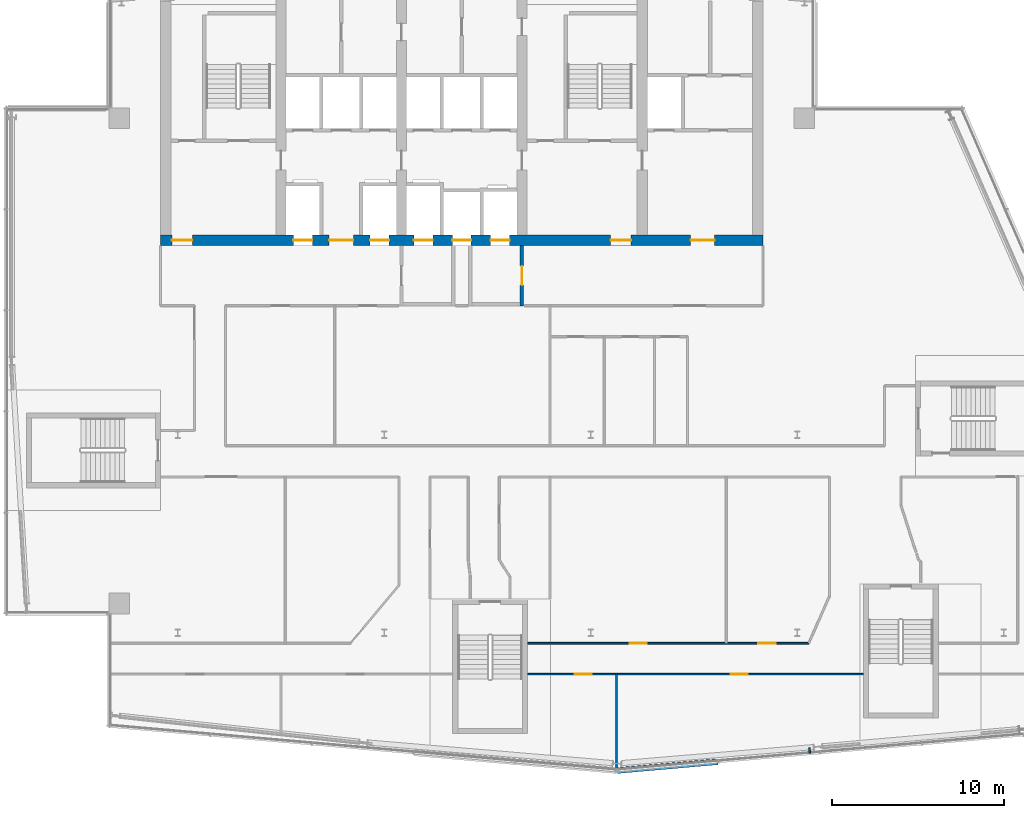
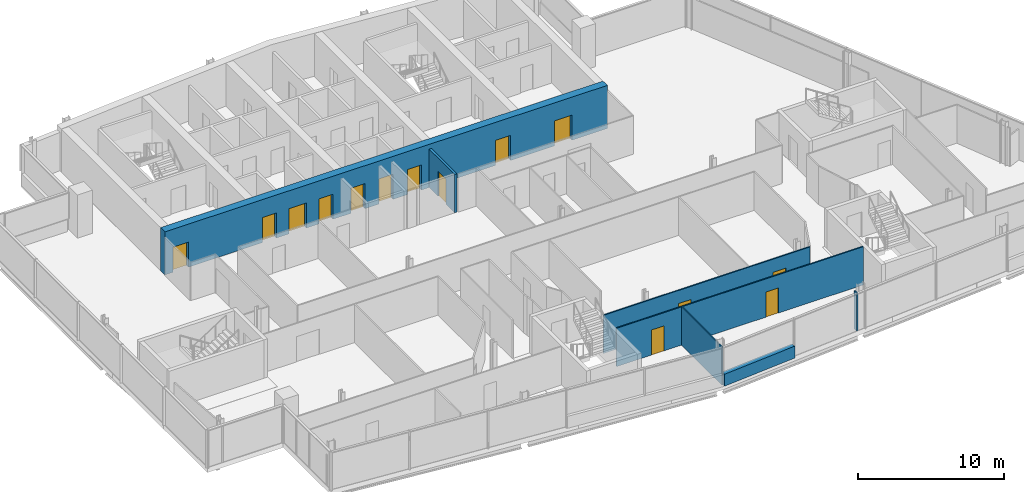
# One storey, part 15 of 22: 14 doors, 7 walls, 14 openings.
"""IFC4 building model written with IfcOpenShell, lengths in metres."""

from ifc_helpers import new_model, si_unit, direction, frame, frame_2d, origin, place, context, subcontext, project, spatial, rectangle, extrude, material, layer, layer_set, type_object, element, fill, save


model = new_model("IFC4")

# Units and contexts
model_context = context("Model", 3, precision=1e-05, world=origin(), true_north=direction((0.0, 1.0)))
body_context = subcontext(model_context, "Body", "Model", "MODEL_VIEW")
ifc_project = project(units=[si_unit("LENGTHUNIT", "METRE"), si_unit("AREAUNIT", "SQUARE_METRE"), si_unit("VOLUMEUNIT", "CUBIC_METRE"), si_unit("PLANEANGLEUNIT", "RADIAN"), si_unit("MASSUNIT", "GRAM", prefix="KILO")], contexts=[model_context])

# Site, building, storey
site_placement = place(None, origin())
site = spatial("IfcSite", under=ifc_project, at=site_placement, CompositionType="ELEMENT")
building_placement = place(site_placement, origin())
building = spatial("IfcBuilding", under=site, at=building_placement, Name="Wharfspan Tower", CompositionType="ELEMENT")
storey_placement = place(building_placement, frame((0.0, 0.0, 246.699951)))
storey = spatial("IfcBuildingStorey", under=building, at=storey_placement, Name="L62", CompositionType="ELEMENT", Elevation=246.699951)

# Wall, openings, doors
ifc_material_1 = material(Name="Gypsum board on steel studs", Category="steel")
ifc_layer_1 = layer(ifc_material_1, 0.100098)
ifc_layer_set_1 = layer_set([ifc_layer_1], Name="Gypsum board on steel studs")
wall_type_1 = type_object("IfcWallType", Name="Compartment wall 100 EI 60", PredefinedType="PARTITIONING", material=ifc_layer_set_1)
wall_1_placement = place(storey_placement, frame((44.327148, 9.094971, 0.0), z_axis=(0.0, 0.0, 1.0), x_axis=(1.0, 0.0, 0.0)))
wall_1 = element("IfcWall", 1, at=wall_1_placement, inside=storey, type_object=wall_type_1, Name="Partition L62.w030", PredefinedType="PARTITIONING", context=body_context, shape_type="SweptSolid", body=[
    extrude(rectangle(XDim=19.516602, YDim=0.100098, at=frame_2d((9.758301, 0.0))), origin(), (0.0, 0.0, 1.0), 3.199951),
])
opening_1_placement = place(wall_1_placement, frame((2.74292, 0.0, 0.0)))
opening_1 = element("IfcOpeningElement", 2, at=opening_1_placement, cuts=wall_1, Name="Opening D5-03", PredefinedType="OPENING", context=body_context, shape_type="SweptSolid", body=[
    extrude(rectangle(XDim=1.0, YDim=2.100098, at=frame_2d((0.5, 1.050049))), frame((0.0, 0.060059, 0.0), z_axis=(0.0, -1.0, 0.0), x_axis=(1.0, 0.0, 0.0)), (0.0, 0.0, 1.0), 0.120117),
])
opening_2_placement = place(wall_1_placement, frame((11.792969, 0.0, 0.0)))
opening_2 = element("IfcOpeningElement", 3, at=opening_2_placement, cuts=wall_1, Name="Opening D5-04", PredefinedType="OPENING", context=body_context, shape_type="SweptSolid", body=[
    extrude(rectangle(XDim=1.0, YDim=2.100098, at=frame_2d((0.5, 1.050049))), frame((0.0, 0.060059, 0.0), z_axis=(0.0, -1.0, 0.0), x_axis=(1.0, 0.0, 0.0)), (0.0, 0.0, 1.0), 0.120117),
])
ifc_material_2 = material(Name="Fire-rated timber door leaf in steel frame", Category="steel")
door_type_1 = type_object("IfcDoorType", Name="Door 1000 FD30S Left", OperationType="SINGLE_SWING_LEFT", PredefinedType="DOOR", material=ifc_material_2)
door_1_placement = place(opening_1_placement, origin())
door_1 = element("IfcDoor", 4, at=door_1_placement, inside=storey, type_object=door_type_1, Name="Door D5-03", OperationType="SINGLE_SWING_LEFT", OverallHeight=2.100098, OverallWidth=1.0, PredefinedType="DOOR", context=body_context, shape_type="SweptSolid", body=[
    extrude(rectangle(XDim=1.0, YDim=2.100098, at=frame_2d((0.5, 1.050049))), frame((0.0, 0.024902, 0.0), z_axis=(0.0, -1.0, 0.0), x_axis=(1.0, 0.0, 0.0)), (0.0, 0.0, 1.0), 0.050049),
])
fill(opening_1, door_1)
door_type_2 = type_object("IfcDoorType", Name="Door 1000 FD30S Right", OperationType="SINGLE_SWING_RIGHT", PredefinedType="DOOR", material=ifc_material_2)
door_2_placement = place(opening_2_placement, origin())
door_2 = element("IfcDoor", 5, at=door_2_placement, inside=storey, type_object=door_type_2, Name="Door D5-04", OperationType="SINGLE_SWING_RIGHT", OverallHeight=2.100098, OverallWidth=1.0, PredefinedType="DOOR", context=body_context, shape_type="SweptSolid", body=[
    extrude(rectangle(XDim=1.0, YDim=2.100098, at=frame_2d((0.5, 1.050049))), frame((0.0, 0.024902, 0.0), z_axis=(0.0, -1.0, 0.0), x_axis=(1.0, 0.0, 0.0)), (0.0, 0.0, 1.0), 0.050049),
])
fill(opening_2, door_2)

wall_2_placement = place(storey_placement, frame((44.327148, 10.89502, 0.0), z_axis=(0.0, 0.0, 1.0), x_axis=(1.0, 0.0, 0.0)))
wall_2 = element("IfcWall", 6, at=wall_2_placement, inside=storey, type_object=wall_type_1, Name="Partition L62.w031", PredefinedType="PARTITIONING", context=body_context, shape_type="SweptSolid", body=[
    extrude(rectangle(XDim=16.332764, YDim=0.100098, at=frame_2d((8.166504, 0.0))), origin(), (0.0, 0.0, 1.0), 3.199951),
])
opening_3_placement = place(wall_2_placement, frame((5.927979, 0.0, 0.0)))
opening_3 = element("IfcOpeningElement", 7, at=opening_3_placement, cuts=wall_2, Name="Opening D5-07", PredefinedType="OPENING", context=body_context, shape_type="SweptSolid", body=[
    extrude(rectangle(XDim=1.0, YDim=2.100098, at=frame_2d((0.5, 1.050049))), frame((0.0, 0.060059, 0.0), z_axis=(0.0, -1.0, 0.0), x_axis=(1.0, 0.0, 0.0)), (0.0, 0.0, 1.0), 0.120117),
])
opening_4_placement = place(wall_2_placement, frame((13.416748, 0.0, 0.0)))
opening_4 = element("IfcOpeningElement", 8, at=opening_4_placement, cuts=wall_2, Name="Opening D5-08", PredefinedType="OPENING", context=body_context, shape_type="SweptSolid", body=[
    extrude(rectangle(XDim=1.0, YDim=2.100098, at=frame_2d((0.5, 1.050049))), frame((0.0, 0.060059, 0.0), z_axis=(0.0, -1.0, 0.0), x_axis=(1.0, 0.0, 0.0)), (0.0, 0.0, 1.0), 0.120117),
])
door_3_placement = place(opening_3_placement, origin())
door_3 = element("IfcDoor", 9, at=door_3_placement, inside=storey, type_object=door_type_1, Name="Door D5-07", OperationType="SINGLE_SWING_LEFT", OverallHeight=2.100098, OverallWidth=1.0, PredefinedType="DOOR", context=body_context, shape_type="SweptSolid", body=[
    extrude(rectangle(XDim=1.0, YDim=2.100098, at=frame_2d((0.5, 1.050049))), frame((0.0, 0.024902, 0.0), z_axis=(0.0, -1.0, 0.0), x_axis=(1.0, 0.0, 0.0)), (0.0, 0.0, 1.0), 0.050049),
])
fill(opening_3, door_3)
door_4_placement = place(opening_4_placement, origin())
door_4 = element("IfcDoor", 10, at=door_4_placement, inside=storey, type_object=door_type_2, Name="Door D5-08", OperationType="SINGLE_SWING_RIGHT", OverallHeight=2.100098, OverallWidth=1.0, PredefinedType="DOOR", context=body_context, shape_type="SweptSolid", body=[
    extrude(rectangle(XDim=1.0, YDim=2.100098, at=frame_2d((0.5, 1.050049))), frame((0.0, 0.024902, 0.0), z_axis=(0.0, -1.0, 0.0), x_axis=(1.0, 0.0, 0.0)), (0.0, 0.0, 1.0), 0.050049),
])
fill(opening_4, door_4)

# Wall
wall_3_placement = place(storey_placement, frame((49.5, 3.51416, 0.0), z_axis=(0.0, 0.0, 1.0), x_axis=(0.0, 1.0, 0.0)))
element("IfcWall", 11, at=wall_3_placement, inside=storey, type_object=wall_type_1, Name="Partition L62.w036", PredefinedType="PARTITIONING", context=body_context, shape_type="SweptSolid", body=[
    extrude(rectangle(XDim=5.580811, YDim=0.100098, at=frame_2d((2.790527, 0.0))), origin(), (0.0, 0.0, 1.0), 3.199951),
])

# Wall, openings, doors
ifc_material_3 = material(Name="Concrete C50/60", Category="concrete")
ifc_layer_2 = layer(ifc_material_3, 0.600098)
ifc_layer_set_2 = layer_set([ifc_layer_2], Name="Concrete C50/60")
wall_type_2 = type_object("IfcWallType", Name="Core wall 600 C50/60", PredefinedType="SHEAR", material=ifc_layer_set_2)
wall_4_placement = place(storey_placement, frame((23.0, 34.300049, 0.0), z_axis=(0.0, 0.0, 1.0), x_axis=(1.0, 0.0, 0.0)))
wall_4 = element("IfcWall", 12, at=wall_4_placement, inside=storey, type_object=wall_type_2, Name="Core front wall L62", PredefinedType="SHEAR", context=body_context, shape_type="SweptSolid", body=[
    extrude(rectangle(XDim=35.0, YDim=0.600098, at=frame_2d((17.5, 0.0))), origin(), (0.0, 0.0, 1.0), 3.600098),
])
opening_5_placement = place(wall_4_placement, frame((0.649902, 0.0, 0.0)))
opening_5 = element("IfcOpeningElement", 13, at=opening_5_placement, cuts=wall_4, Name="Opening SV2.L62", PredefinedType="OPENING", context=body_context, shape_type="SweptSolid", body=[
    extrude(rectangle(XDim=1.199951, YDim=2.100098, at=frame_2d((0.600098, 1.050049))), frame((0.0, 0.310059, 0.0), z_axis=(0.0, -1.0, 0.0), x_axis=(1.0, 0.0, 0.0)), (0.0, 0.0, 1.0), 0.620117),
])
opening_6_placement = place(wall_4_placement, frame((7.716797, 0.0, 0.0)))
opening_6 = element("IfcOpeningElement", 14, at=opening_6_placement, cuts=wall_4, Name="Opening LD.SL1.L62", PredefinedType="OPENING", context=body_context, shape_type="SweptSolid", body=[
    extrude(rectangle(XDim=1.100098, YDim=2.100098, at=frame_2d((0.550049, 1.050049))), frame((0.0, 0.310059, 0.0), z_axis=(0.0, -1.0, 0.0), x_axis=(1.0, 0.0, 0.0)), (0.0, 0.0, 1.0), 0.620117),
])
opening_7_placement = place(wall_4_placement, frame((12.18335, 0.0, 0.0)))
opening_7 = element("IfcOpeningElement", 15, at=opening_7_placement, cuts=wall_4, Name="Opening LD.SL2.L62", PredefinedType="OPENING", context=body_context, shape_type="SweptSolid", body=[
    extrude(rectangle(XDim=1.100098, YDim=2.100098, at=frame_2d((0.550049, 1.050049))), frame((0.0, 0.310059, 0.0), z_axis=(0.0, -1.0, 0.0), x_axis=(1.0, 0.0, 0.0)), (0.0, 0.0, 1.0), 0.620117),
])
opening_8_placement = place(wall_4_placement, frame((9.800049, 0.0, 0.0)))
opening_8 = element("IfcOpeningElement", 16, at=opening_8_placement, cuts=wall_4, Name="Opening HD62.3", PredefinedType="OPENING", context=body_context, shape_type="SweptSolid", body=[
    extrude(rectangle(XDim=1.399902, YDim=2.100098, at=frame_2d((0.699951, 1.050049))), frame((0.0, 0.310059, 0.0), z_axis=(0.0, -1.0, 0.0), x_axis=(1.0, 0.0, 0.0)), (0.0, 0.0, 1.0), 0.620117),
])
opening_9_placement = place(wall_4_placement, frame((14.716797, 0.0, 0.0)))
opening_9 = element("IfcOpeningElement", 17, at=opening_9_placement, cuts=wall_4, Name="Opening LD.FF1.L62", PredefinedType="OPENING", context=body_context, shape_type="SweptSolid", body=[
    extrude(rectangle(XDim=1.100098, YDim=2.100098, at=frame_2d((0.550049, 1.050049))), frame((0.0, 0.310059, 0.0), z_axis=(0.0, -1.0, 0.0), x_axis=(1.0, 0.0, 0.0)), (0.0, 0.0, 1.0), 0.620117),
])
opening_10_placement = place(wall_4_placement, frame((16.949951, 0.0, 0.0)))
opening_10 = element("IfcOpeningElement", 18, at=opening_10_placement, cuts=wall_4, Name="Opening LD.LB7.L62", PredefinedType="OPENING", context=body_context, shape_type="SweptSolid", body=[
    extrude(rectangle(XDim=1.100098, YDim=2.100098, at=frame_2d((0.550049, 1.050049))), frame((0.0, 0.310059, 0.0), z_axis=(0.0, -1.0, 0.0), x_axis=(1.0, 0.0, 0.0)), (0.0, 0.0, 1.0), 0.620117),
])
opening_11_placement = place(wall_4_placement, frame((19.18335, 0.0, 0.0)))
opening_11 = element("IfcOpeningElement", 19, at=opening_11_placement, cuts=wall_4, Name="Opening LD.FF2.L62", PredefinedType="OPENING", context=body_context, shape_type="SweptSolid", body=[
    extrude(rectangle(XDim=1.100098, YDim=2.100098, at=frame_2d((0.550049, 1.050049))), frame((0.0, 0.310059, 0.0), z_axis=(0.0, -1.0, 0.0), x_axis=(1.0, 0.0, 0.0)), (0.0, 0.0, 1.0), 0.620117),
])
opening_12_placement = place(wall_4_placement, frame((26.149902, 0.0, 0.0)))
opening_12 = element("IfcOpeningElement", 20, at=opening_12_placement, cuts=wall_4, Name="Opening SV5.L62", PredefinedType="OPENING", context=body_context, shape_type="SweptSolid", body=[
    extrude(rectangle(XDim=1.199951, YDim=2.100098, at=frame_2d((0.600098, 1.050049))), frame((0.0, 0.310059, 0.0), z_axis=(0.0, -1.0, 0.0), x_axis=(1.0, 0.0, 0.0)), (0.0, 0.0, 1.0), 0.620117),
])
opening_13_placement = place(wall_4_placement, frame((30.800049, 0.0, 0.0)))
opening_13 = element("IfcOpeningElement", 21, at=opening_13_placement, cuts=wall_4, Name="Opening HD62.6", PredefinedType="OPENING", context=body_context, shape_type="SweptSolid", body=[
    extrude(rectangle(XDim=1.399902, YDim=2.100098, at=frame_2d((0.699951, 1.050049))), frame((0.0, 0.310059, 0.0), z_axis=(0.0, -1.0, 0.0), x_axis=(1.0, 0.0, 0.0)), (0.0, 0.0, 1.0), 0.620117),
])
ifc_material_4 = material(Name="Steel door leaf", Category="steel")
door_type_3 = type_object("IfcDoorType", Name="Hall entry door 1400x2100", OperationType="DOUBLE_DOOR_SINGLE_SWING", PredefinedType="DOOR", material=ifc_material_4)
door_5_placement = place(opening_8_placement, origin())
door_5 = element("IfcDoor", 22, at=door_5_placement, inside=storey, type_object=door_type_3, Name="d:L62:3:hd3", OperationType="DOUBLE_DOOR_SINGLE_SWING", OverallHeight=2.100098, OverallWidth=1.399902, PredefinedType="DOOR", context=body_context, shape_type="SweptSolid", body=[
    extrude(rectangle(XDim=1.399902, YDim=2.100098, at=frame_2d((0.699951, 1.050049))), frame((0.0, 0.024902, 0.0), z_axis=(0.0, -1.0, 0.0), x_axis=(1.0, 0.0, 0.0)), (0.0, 0.0, 1.0), 0.050049),
])
fill(opening_8, door_5)
door_6_placement = place(opening_13_placement, origin())
door_6 = element("IfcDoor", 23, at=door_6_placement, inside=storey, type_object=door_type_3, Name="d:L62:6:hd6", OperationType="DOUBLE_DOOR_SINGLE_SWING", OverallHeight=2.100098, OverallWidth=1.399902, PredefinedType="DOOR", context=body_context, shape_type="SweptSolid", body=[
    extrude(rectangle(XDim=1.399902, YDim=2.100098, at=frame_2d((0.699951, 1.050049))), frame((0.0, 0.024902, 0.0), z_axis=(0.0, -1.0, 0.0), x_axis=(1.0, 0.0, 0.0)), (0.0, 0.0, 1.0), 0.050049),
])
fill(opening_13, door_6)
ifc_material_5 = material(Name="Stainless steel", Category="steel")
door_type_4 = type_object("IfcDoorType", Name="Lift landing door 1100x2100", OperationType="DOUBLE_DOOR_SLIDING", PredefinedType="DOOR", material=ifc_material_5)
door_7_placement = place(opening_6_placement, origin())
door_7 = element("IfcDoor", 24, at=door_7_placement, inside=storey, type_object=door_type_4, Name="Landing door SL1 L62", OperationType="DOUBLE_DOOR_SLIDING", OverallHeight=2.100098, OverallWidth=1.100098, PredefinedType="DOOR", context=body_context, shape_type="SweptSolid", body=[
    extrude(rectangle(XDim=1.100098, YDim=2.100098, at=frame_2d((0.550049, 1.050049))), frame((0.0, 0.024902, 0.0), z_axis=(0.0, -1.0, 0.0), x_axis=(1.0, 0.0, 0.0)), (0.0, 0.0, 1.0), 0.050049),
])
fill(opening_6, door_7)
door_8_placement = place(opening_7_placement, origin())
door_8 = element("IfcDoor", 25, at=door_8_placement, inside=storey, type_object=door_type_4, Name="Landing door SL2 L62", OperationType="DOUBLE_DOOR_SLIDING", OverallHeight=2.100098, OverallWidth=1.100098, PredefinedType="DOOR", context=body_context, shape_type="SweptSolid", body=[
    extrude(rectangle(XDim=1.100098, YDim=2.100098, at=frame_2d((0.550049, 1.050049))), frame((0.0, 0.024902, 0.0), z_axis=(0.0, -1.0, 0.0), x_axis=(1.0, 0.0, 0.0)), (0.0, 0.0, 1.0), 0.050049),
])
fill(opening_7, door_8)
door_9_placement = place(opening_9_placement, origin())
door_9 = element("IfcDoor", 26, at=door_9_placement, inside=storey, type_object=door_type_4, Name="Landing door FF1 L62", OperationType="DOUBLE_DOOR_SLIDING", OverallHeight=2.100098, OverallWidth=1.100098, PredefinedType="DOOR", context=body_context, shape_type="SweptSolid", body=[
    extrude(rectangle(XDim=1.100098, YDim=2.100098, at=frame_2d((0.550049, 1.050049))), frame((0.0, 0.024902, 0.0), z_axis=(0.0, -1.0, 0.0), x_axis=(1.0, 0.0, 0.0)), (0.0, 0.0, 1.0), 0.050049),
])
fill(opening_9, door_9)
door_10_placement = place(opening_10_placement, origin())
door_10 = element("IfcDoor", 27, at=door_10_placement, inside=storey, type_object=door_type_4, Name="Landing door LB7 L62", OperationType="DOUBLE_DOOR_SLIDING", OverallHeight=2.100098, OverallWidth=1.100098, PredefinedType="DOOR", context=body_context, shape_type="SweptSolid", body=[
    extrude(rectangle(XDim=1.100098, YDim=2.100098, at=frame_2d((0.550049, 1.050049))), frame((0.0, 0.024902, 0.0), z_axis=(0.0, -1.0, 0.0), x_axis=(1.0, 0.0, 0.0)), (0.0, 0.0, 1.0), 0.050049),
])
fill(opening_10, door_10)
door_11_placement = place(opening_11_placement, origin())
door_11 = element("IfcDoor", 28, at=door_11_placement, inside=storey, type_object=door_type_4, Name="Landing door FF2 L62", OperationType="DOUBLE_DOOR_SLIDING", OverallHeight=2.100098, OverallWidth=1.100098, PredefinedType="DOOR", context=body_context, shape_type="SweptSolid", body=[
    extrude(rectangle(XDim=1.100098, YDim=2.100098, at=frame_2d((0.550049, 1.050049))), frame((0.0, 0.024902, 0.0), z_axis=(0.0, -1.0, 0.0), x_axis=(1.0, 0.0, 0.0)), (0.0, 0.0, 1.0), 0.050049),
])
fill(opening_11, door_11)
door_type_5 = type_object("IfcDoorType", Name="Stair door 1200x2100", OperationType="SINGLE_SWING_LEFT", PredefinedType="DOOR", material=ifc_material_4)
door_12_placement = place(opening_5_placement, origin())
door_12 = element("IfcDoor", 29, at=door_12_placement, inside=storey, type_object=door_type_5, Name="vd:L62:2", OperationType="SINGLE_SWING_LEFT", OverallHeight=2.100098, OverallWidth=1.199951, PredefinedType="DOOR", context=body_context, shape_type="SweptSolid", body=[
    extrude(rectangle(XDim=1.199951, YDim=2.100098, at=frame_2d((0.600098, 1.050049))), frame((0.0, 0.024902, 0.0), z_axis=(0.0, -1.0, 0.0), x_axis=(1.0, 0.0, 0.0)), (0.0, 0.0, 1.0), 0.050049),
])
fill(opening_5, door_12)
door_13_placement = place(opening_12_placement, origin())
door_13 = element("IfcDoor", 30, at=door_13_placement, inside=storey, type_object=door_type_5, Name="vd:L62:5", OperationType="SINGLE_SWING_LEFT", OverallHeight=2.100098, OverallWidth=1.199951, PredefinedType="DOOR", context=body_context, shape_type="SweptSolid", body=[
    extrude(rectangle(XDim=1.199951, YDim=2.100098, at=frame_2d((0.600098, 1.050049))), frame((0.0, 0.024902, 0.0), z_axis=(0.0, -1.0, 0.0), x_axis=(1.0, 0.0, 0.0)), (0.0, 0.0, 1.0), 0.050049),
])
fill(opening_12, door_13)

# Wall, opening, door
ifc_material_6 = material(Name="Concrete C30/37", Category="concrete")
ifc_layer_3 = layer(ifc_material_6, 0.199951)
ifc_layer_set_3 = layer_set([ifc_layer_3], Name="Concrete C30/37")
wall_type_3 = type_object("IfcWallType", Name="Lobby wall 200", PredefinedType="PARTITIONING", material=ifc_layer_set_3)
wall_5_placement = place(storey_placement, frame((44.0, 30.5, 0.0), z_axis=(0.0, 0.0, 1.0), x_axis=(0.0, 1.0, 0.0)))
wall_5 = element("IfcWall", 31, at=wall_5_placement, inside=storey, type_object=wall_type_3, Name="sw:L62:FLFF2E", PredefinedType="PARTITIONING", context=body_context, shape_type="SweptSolid", body=[
    extrude(rectangle(XDim=3.5, YDim=0.199951, at=frame_2d((1.75, 0.0))), origin(), (0.0, 0.0, 1.0), 3.199951),
])
opening_14_placement = place(wall_5_placement, frame((1.199951, 0.0, 0.0)))
opening_14 = element("IfcOpeningElement", 32, at=opening_14_placement, cuts=wall_5, Name="Opening FL.FF2.L62", PredefinedType="OPENING", context=body_context, shape_type="SweptSolid", body=[
    extrude(rectangle(XDim=1.100098, YDim=2.100098, at=frame_2d((0.550049, 1.050049))), frame((0.0, 0.109863, 0.0), z_axis=(0.0, -1.0, 0.0), x_axis=(1.0, 0.0, 0.0)), (0.0, 0.0, 1.0), 0.219971),
])
door_type_6 = type_object("IfcDoorType", Name="Firefighting lobby door 1100x2100", OperationType="SINGLE_SWING_LEFT", PredefinedType="DOOR", material=ifc_material_4)
door_14_placement = place(opening_14_placement, origin())
door_14 = element("IfcDoor", 33, at=door_14_placement, inside=storey, type_object=door_type_6, Name="fd:L62:FF2", OperationType="SINGLE_SWING_LEFT", OverallHeight=2.100098, OverallWidth=1.100098, PredefinedType="DOOR", context=body_context, shape_type="SweptSolid", body=[
    extrude(rectangle(XDim=1.100098, YDim=2.100098, at=frame_2d((0.550049, 1.050049))), frame((0.0, 0.024902, 0.0), z_axis=(0.0, -1.0, 0.0), x_axis=(1.0, 0.0, 0.0)), (0.0, 0.0, 1.0), 0.050049),
])
fill(opening_14, door_14)

# Walls
ifc_layer_4 = layer(ifc_material_1, 0.100098)
ifc_layer_set_4 = layer_set([ifc_layer_4], Name="Gypsum board on steel studs")
wall_type_4 = type_object("IfcWallType", Name="Partition 100", PredefinedType="PARTITIONING", material=ifc_layer_set_4)
wall_6_placement = place(storey_placement, frame((60.73291, 4.49707, 0.0), z_axis=(0.0, 0.0, 1.0), x_axis=(-0.090037, 0.995936, 0.0)))
element("IfcWall", 34, at=wall_6_placement, inside=storey, type_object=wall_type_4, Name="Partition L62.w042", PredefinedType="PARTITIONING", context=body_context, shape_type="SweptSolid", body=[
    extrude(rectangle(XDim=0.309082, YDim=0.100098, at=frame_2d((0.154541, 0.0))), origin(), (0.0, 0.0, 1.0), 3.199951),
])
ifc_material_7 = material(Name="Concrete C40/50", Category="concrete")
ifc_layer_5 = layer(ifc_material_7, 0.350098)
ifc_layer_set_5 = layer_set([ifc_layer_5], Name="Concrete C40/50")
wall_type_5 = type_object("IfcWallType", Name="SPANDREL EXPOSED CONCRETE 350", PredefinedType="SOLIDWALL", material=ifc_layer_set_5)
wall_7_placement = place(storey_placement, frame((49.54541, 3.493164, 0.0), z_axis=(0.0, 0.0, 1.0), x_axis=(0.996196, 0.087138, 0.0)))
element("IfcWall", 35, at=wall_7_placement, inside=storey, type_object=wall_type_5, Name="Spandrel upstand L62 S2 1", PredefinedType="SOLIDWALL", context=body_context, shape_type="SweptSolid", body=[
    extrude(rectangle(XDim=5.864014, YDim=0.350098, at=frame_2d((2.932129, 0.0))), origin(), (0.0, 0.0, 1.0), 1.0),
])

save(model, "model.ifc")
